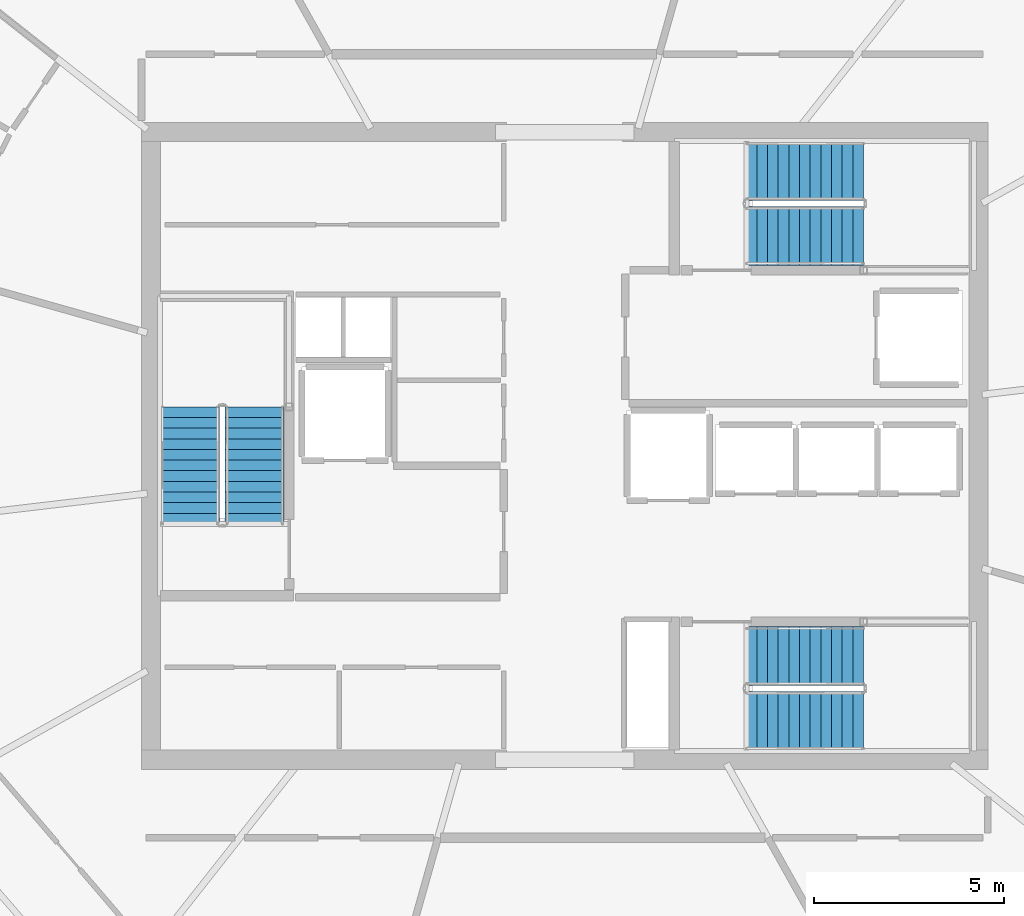
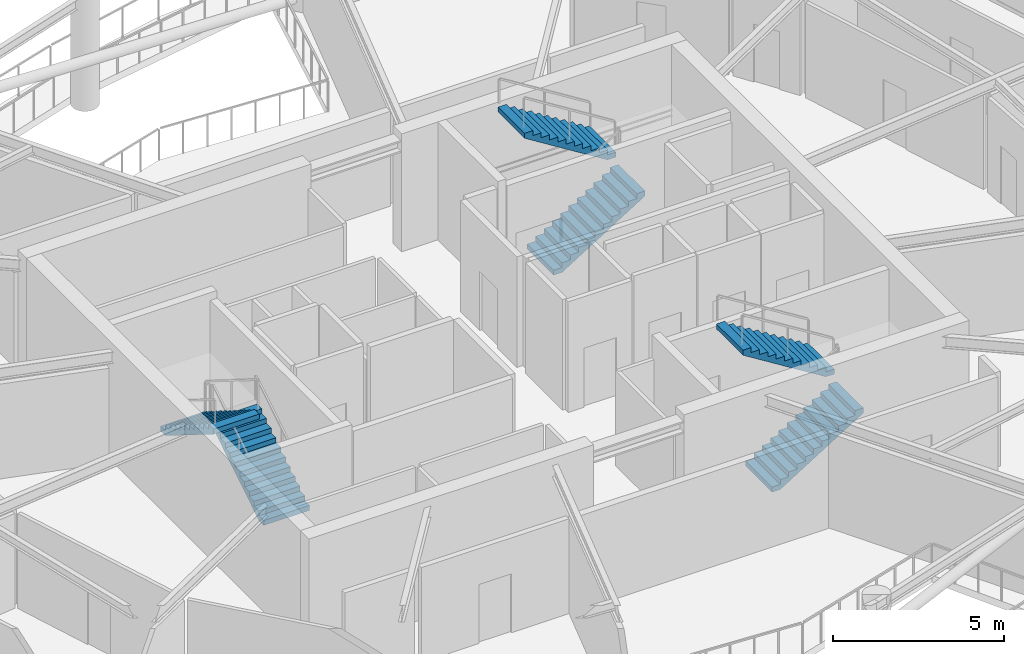
# One storey, part 17 of 22: 6 stair flights, 3 elements without a shape of their own.
"""IFC4 building model written with IfcOpenShell, lengths in metres."""

from ifc_helpers import new_model, si_unit, direction, frame, origin, place, context, subcontext, project, spatial, polyline, outline, extrude, material, type_object, element, aggregate, save


model = new_model("IFC4")

# Units and contexts
model_context = context("Model", 3, precision=1e-05, world=origin(), true_north=direction((0.0, 1.0)))
body_context = subcontext(model_context, "Body", "Model", "MODEL_VIEW")
ifc_project = project(units=[si_unit("LENGTHUNIT", "METRE"), si_unit("AREAUNIT", "SQUARE_METRE"), si_unit("VOLUMEUNIT", "CUBIC_METRE"), si_unit("PLANEANGLEUNIT", "RADIAN"), si_unit("MASSUNIT", "GRAM", prefix="KILO")], contexts=[model_context])

# Site, building, storey
site_placement = place(None, origin())
site = spatial("IfcSite", under=ifc_project, at=site_placement, CompositionType="ELEMENT")
building_placement = place(site_placement, origin())
building = spatial("IfcBuilding", under=site, at=building_placement, Name="Kazma Halo Residences", CompositionType="ELEMENT")
storey_placement = place(building_placement, frame((0.0, 0.0, 330.5)))
storey = spatial("IfcBuildingStorey", under=building, at=storey_placement, Name="L83", CompositionType="ELEMENT", Elevation=330.5)

# Stair, stair flights
ifc_material = material(Name="Concrete C50/60", Category="concrete")
stair_type = type_object("IfcStairType", Name="STR-RES2", PredefinedType="HALF_TURN_STAIR", material=ifc_material)
stair_1_placement = place(storey_placement, origin())
stair_1 = element("IfcStair", 1, at=stair_1_placement, inside=storey, type_object=stair_type, Name="L83 Core exit stair ST-01", PredefinedType="HALF_TURN_STAIR")
stair_flight_type = type_object("IfcStairFlightType", Name="STR-RES2-FLT", PredefinedType="STRAIGHT", material=ifc_material)
stair_flight_1_placement = place(storey_placement, frame((40.27490234375, 39.949951171875, 0.0), z_axis=(0.0, 0.0, 1.0), x_axis=(0.0, 1.0, 0.0)))
stair_flight_1 = element("IfcStairFlight", 2, at=stair_flight_1_placement, type_object=stair_flight_type, Name="ST-01 flight 1", NumberOfRisers=12, NumberOfTreads=11, PredefinedType="STRAIGHT", RiserHeight=0.175, TreadLength=0.28, context=body_context, shape_type="SweptSolid", body=[
    extrude(outline(polyline([(0.0, 0.0), (0.0, 0.175048828125), (0.280029296875, 0.175048828125), (0.280029296875, 0.35009765625), (0.56005859375, 0.35009765625), (0.56005859375, 0.52490234375), (0.840087890625, 0.52490234375), (0.840087890625, 0.699951171875), (1.1201171875, 0.699951171875), (1.1201171875, 0.875), (1.39990234375, 0.875), (1.39990234375, 1.050048828125), (1.679931640625, 1.050048828125), (1.679931640625, 1.22509765625), (1.9599609375, 1.22509765625), (1.9599609375, 1.39990234375), (2.239990234375, 1.39990234375), (2.239990234375, 1.574951171875), (2.52001953125, 1.574951171875), (2.52001953125, 1.75), (2.800048828125, 1.75), (2.800048828125, 1.925048828125), (3.080078125, 1.925048828125), (3.080078125, 2.10009765625), (3.080078125, 1.748291015625), (0.28271484375, 0.0), (0.0, 0.0)])), frame((0.0, 0.77490234375, 0.0), z_axis=(0.0, -1.0, 0.0), x_axis=(1.0, 0.0, 0.0)), (0.0, 0.0, 1.0), 1.550048828125),
])
stair_flight_2_placement = place(storey_placement, frame((38.574951171875, 43.030029296875, 2.10009765625), z_axis=(0.0, 0.0, 1.0), x_axis=(0.0, -1.0, 0.0)))
stair_flight_2 = element("IfcStairFlight", 3, at=stair_flight_2_placement, type_object=stair_flight_type, Name="ST-01 flight 2", NumberOfRisers=12, NumberOfTreads=11, PredefinedType="STRAIGHT", RiserHeight=0.175, TreadLength=0.28, context=body_context, shape_type="SweptSolid", body=[
    extrude(outline(polyline([(0.0, 0.0), (0.0, 0.175048828125), (0.280029296875, 0.175048828125), (0.280029296875, 0.35009765625), (0.56005859375, 0.35009765625), (0.56005859375, 0.52490234375), (0.840087890625, 0.52490234375), (0.840087890625, 0.699951171875), (1.1201171875, 0.699951171875), (1.1201171875, 0.875), (1.39990234375, 0.875), (1.39990234375, 1.050048828125), (1.679931640625, 1.050048828125), (1.679931640625, 1.22509765625), (1.9599609375, 1.22509765625), (1.9599609375, 1.39990234375), (2.239990234375, 1.39990234375), (2.239990234375, 1.574951171875), (2.52001953125, 1.574951171875), (2.52001953125, 1.75), (2.800048828125, 1.75), (2.800048828125, 1.925048828125), (3.080078125, 1.925048828125), (3.080078125, 2.10009765625), (3.080078125, 1.748291015625), (0.28271484375, 0.0), (0.0, 0.0)])), frame((0.0, 0.77490234375, 0.0), z_axis=(0.0, -1.0, 0.0), x_axis=(1.0, 0.0, 0.0)), (0.0, 0.0, 1.0), 1.550048828125),
])
aggregate(stair_1, [stair_flight_1, stair_flight_2])

stair_2_placement = place(storey_placement, origin())
stair_2 = element("IfcStair", 4, at=stair_2_placement, inside=storey, type_object=stair_type, Name="L83 Core exit stair ST-02", PredefinedType="HALF_TURN_STAIR")
stair_flight_3_placement = place(storey_placement, frame((53.199951171875, 47.52490234375, 0.0), z_axis=(0.0, 0.0, 1.0), x_axis=(1.0, 0.0, 0.0)))
stair_flight_3 = element("IfcStairFlight", 5, at=stair_flight_3_placement, type_object=stair_flight_type, Name="ST-02 flight 1", NumberOfRisers=12, NumberOfTreads=11, PredefinedType="STRAIGHT", RiserHeight=0.175, TreadLength=0.28, context=body_context, shape_type="SweptSolid", body=[
    extrude(outline(polyline([(0.0, 0.0), (0.0, 0.175048828125), (0.280029296875, 0.175048828125), (0.280029296875, 0.35009765625), (0.56005859375, 0.35009765625), (0.56005859375, 0.52490234375), (0.840087890625, 0.52490234375), (0.840087890625, 0.699951171875), (1.1201171875, 0.699951171875), (1.1201171875, 0.875), (1.39990234375, 0.875), (1.39990234375, 1.050048828125), (1.679931640625, 1.050048828125), (1.679931640625, 1.22509765625), (1.9599609375, 1.22509765625), (1.9599609375, 1.39990234375), (2.239990234375, 1.39990234375), (2.239990234375, 1.574951171875), (2.52001953125, 1.574951171875), (2.52001953125, 1.75), (2.800048828125, 1.75), (2.800048828125, 1.925048828125), (3.080078125, 1.925048828125), (3.080078125, 2.10009765625), (3.080078125, 1.748291015625), (0.28271484375, 0.0), (0.0, 0.0)])), frame((0.0, 0.77490234375, 0.0), z_axis=(0.0, -1.0, 0.0), x_axis=(1.0, 0.0, 0.0)), (0.0, 0.0, 1.0), 1.550048828125),
])
stair_flight_4_placement = place(storey_placement, frame((56.280029296875, 49.22509765625, 2.10009765625), z_axis=(0.0, 0.0, 1.0), x_axis=(-1.0, 0.0, 0.0)))
stair_flight_4 = element("IfcStairFlight", 6, at=stair_flight_4_placement, type_object=stair_flight_type, Name="ST-02 flight 2", NumberOfRisers=12, NumberOfTreads=11, PredefinedType="STRAIGHT", RiserHeight=0.175, TreadLength=0.28, context=body_context, shape_type="SweptSolid", body=[
    extrude(outline(polyline([(0.0, 0.0), (0.0, 0.175048828125), (0.280029296875, 0.175048828125), (0.280029296875, 0.35009765625), (0.56005859375, 0.35009765625), (0.56005859375, 0.52490234375), (0.840087890625, 0.52490234375), (0.840087890625, 0.699951171875), (1.1201171875, 0.699951171875), (1.1201171875, 0.875), (1.39990234375, 0.875), (1.39990234375, 1.050048828125), (1.679931640625, 1.050048828125), (1.679931640625, 1.22509765625), (1.9599609375, 1.22509765625), (1.9599609375, 1.39990234375), (2.239990234375, 1.39990234375), (2.239990234375, 1.574951171875), (2.52001953125, 1.574951171875), (2.52001953125, 1.75), (2.800048828125, 1.75), (2.800048828125, 1.925048828125), (3.080078125, 1.925048828125), (3.080078125, 2.10009765625), (3.080078125, 1.748291015625), (0.28271484375, 0.0), (0.0, 0.0)])), frame((0.0, 0.77490234375, 0.0), z_axis=(0.0, -1.0, 0.0), x_axis=(1.0, 0.0, 0.0)), (0.0, 0.0, 1.0), 1.550048828125),
])
aggregate(stair_2, [stair_flight_3, stair_flight_4])

stair_3_placement = place(storey_placement, origin())
stair_3 = element("IfcStair", 7, at=stair_3_placement, inside=storey, type_object=stair_type, Name="L83 Core exit stair ST-03", PredefinedType="HALF_TURN_STAIR")
stair_flight_5_placement = place(storey_placement, frame((53.199951171875, 34.77490234375, 0.0), z_axis=(0.0, 0.0, 1.0), x_axis=(1.0, 0.0, 0.0)))
stair_flight_5 = element("IfcStairFlight", 8, at=stair_flight_5_placement, type_object=stair_flight_type, Name="ST-03 flight 1", NumberOfRisers=12, NumberOfTreads=11, PredefinedType="STRAIGHT", RiserHeight=0.175, TreadLength=0.28, context=body_context, shape_type="SweptSolid", body=[
    extrude(outline(polyline([(0.0, 0.0), (0.0, 0.175048828125), (0.280029296875, 0.175048828125), (0.280029296875, 0.35009765625), (0.56005859375, 0.35009765625), (0.56005859375, 0.52490234375), (0.840087890625, 0.52490234375), (0.840087890625, 0.699951171875), (1.1201171875, 0.699951171875), (1.1201171875, 0.875), (1.39990234375, 0.875), (1.39990234375, 1.050048828125), (1.679931640625, 1.050048828125), (1.679931640625, 1.22509765625), (1.9599609375, 1.22509765625), (1.9599609375, 1.39990234375), (2.239990234375, 1.39990234375), (2.239990234375, 1.574951171875), (2.52001953125, 1.574951171875), (2.52001953125, 1.75), (2.800048828125, 1.75), (2.800048828125, 1.925048828125), (3.080078125, 1.925048828125), (3.080078125, 2.10009765625), (3.080078125, 1.748291015625), (0.28271484375, 0.0), (0.0, 0.0)])), frame((0.0, 0.77490234375, 0.0), z_axis=(0.0, -1.0, 0.0), x_axis=(1.0, 0.0, 0.0)), (0.0, 0.0, 1.0), 1.550048828125),
])
stair_flight_6_placement = place(storey_placement, frame((56.280029296875, 36.47509765625, 2.10009765625), z_axis=(0.0, 0.0, 1.0), x_axis=(-1.0, 0.0, 0.0)))
stair_flight_6 = element("IfcStairFlight", 9, at=stair_flight_6_placement, type_object=stair_flight_type, Name="ST-03 flight 2", NumberOfRisers=12, NumberOfTreads=11, PredefinedType="STRAIGHT", RiserHeight=0.175, TreadLength=0.28, context=body_context, shape_type="SweptSolid", body=[
    extrude(outline(polyline([(0.0, 0.0), (0.0, 0.175048828125), (0.280029296875, 0.175048828125), (0.280029296875, 0.35009765625), (0.56005859375, 0.35009765625), (0.56005859375, 0.52490234375), (0.840087890625, 0.52490234375), (0.840087890625, 0.699951171875), (1.1201171875, 0.699951171875), (1.1201171875, 0.875), (1.39990234375, 0.875), (1.39990234375, 1.050048828125), (1.679931640625, 1.050048828125), (1.679931640625, 1.22509765625), (1.9599609375, 1.22509765625), (1.9599609375, 1.39990234375), (2.239990234375, 1.39990234375), (2.239990234375, 1.574951171875), (2.52001953125, 1.574951171875), (2.52001953125, 1.75), (2.800048828125, 1.75), (2.800048828125, 1.925048828125), (3.080078125, 1.925048828125), (3.080078125, 2.10009765625), (3.080078125, 1.748291015625), (0.28271484375, 0.0), (0.0, 0.0)])), frame((0.0, 0.77490234375, 0.0), z_axis=(0.0, -1.0, 0.0), x_axis=(1.0, 0.0, 0.0)), (0.0, 0.0, 1.0), 1.550048828125),
])
aggregate(stair_3, [stair_flight_5, stair_flight_6])

save(model, "model.ifc")
